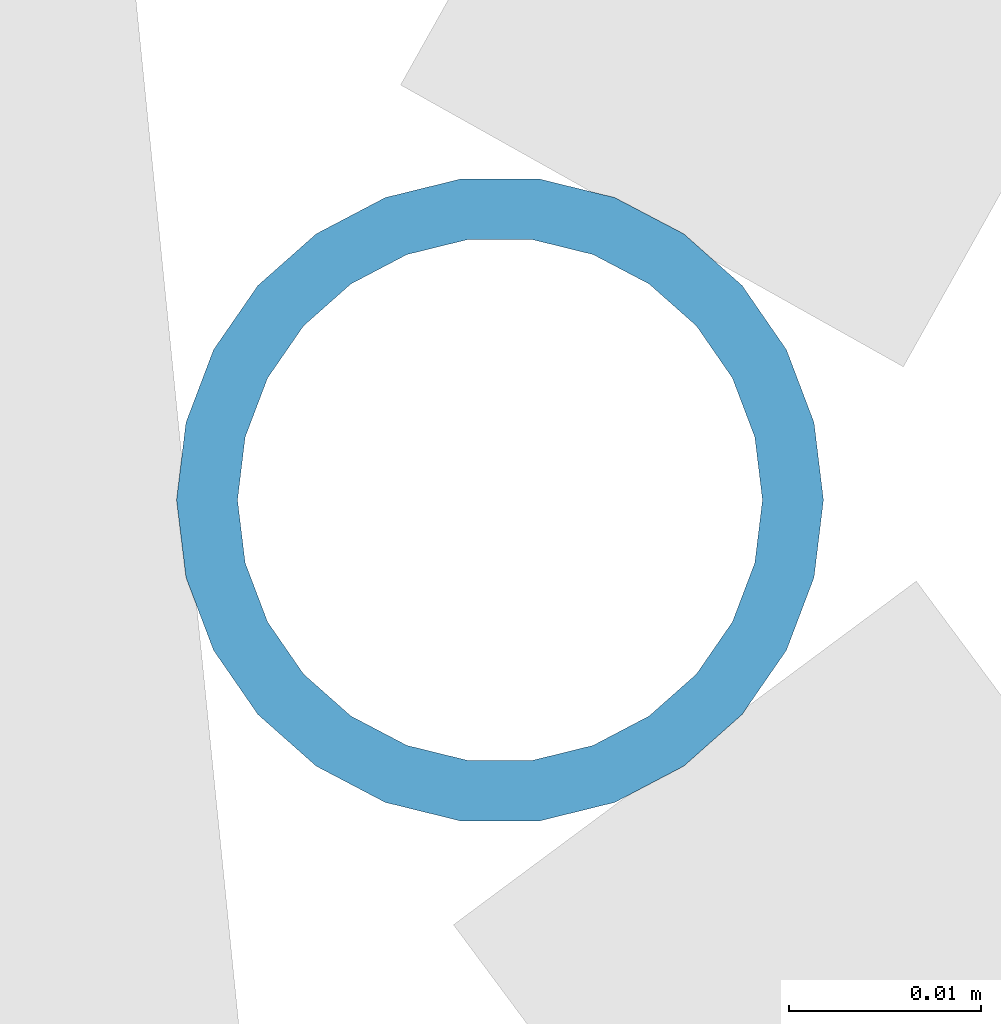
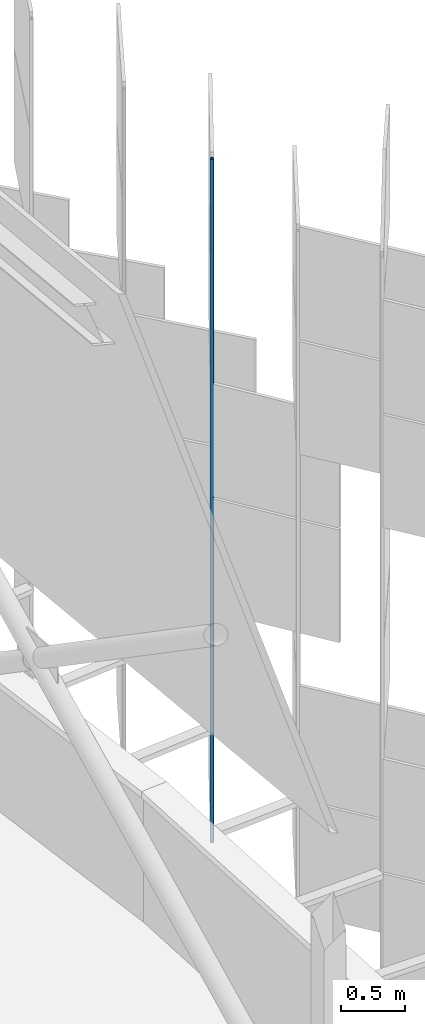
# One storey, part 290 of 483: 1 discrete accessory.
"""IFC4 building model written with IfcOpenShell, lengths in metres."""

from ifc_helpers import new_model, si_unit, direction, frame, origin, origin_2d, place, context, subcontext, project, spatial, hollow_circle, extrude, material, material_profile, profile_set, type_object, element, save


model = new_model("IFC4")

# Units and contexts
model_context = context("Model", 3, precision=1e-05, world=origin(), true_north=direction((0.0, 1.0)))
body_context = subcontext(model_context, "Body", "Model", "MODEL_VIEW")
ifc_project = project(units=[si_unit("LENGTHUNIT", "METRE"), si_unit("AREAUNIT", "SQUARE_METRE"), si_unit("VOLUMEUNIT", "CUBIC_METRE"), si_unit("PLANEANGLEUNIT", "RADIAN"), si_unit("MASSUNIT", "GRAM", prefix="KILO")], contexts=[model_context])

# Site, building, storey
site_placement = place(None, origin())
site = spatial("IfcSite", under=ifc_project, at=site_placement, CompositionType="ELEMENT")
building_placement = place(site_placement, origin())
building = spatial("IfcBuilding", under=site, at=building_placement, Name="Parallax Yard Mobility Hub", CompositionType="ELEMENT")
storey_placement = place(building_placement, frame((0.0, 0.0, 13.199951171875)))
storey = spatial("IfcBuildingStorey", under=building, at=storey_placement, Name="L04", CompositionType="ELEMENT", Elevation=13.199951171875)

# Discrete accessory
ifc_material = material(Name="Steel ASTM A500 Gr C, hot-dip galvanised", Category="steel")
ifc_material_profile = material_profile(ifc_material, hollow_circle(Radius=0.016845703125, WallThickness=0.003173828125, at=origin_2d()), Name="CHS 33.7x3.2")
ifc_profile_set = profile_set([ifc_material_profile], Name="Steel ASTM A500 Gr C, hot-dip galvanised")
discrete_accessory_type = type_object("IfcDiscreteAccessoryType", Name="Hinge post CHS 33.7x3.2", PredefinedType="BRACKET", material=ifc_profile_set)
discrete_accessory_placement = place(storey_placement, frame((225.60595703125, 94.785888671875, 0.0), z_axis=(0.0, 0.0, 1.0), x_axis=(1.0, 0.0, 0.0)))
element("IfcDiscreteAccessory", 1, at=discrete_accessory_placement, inside=storey, type_object=discrete_accessory_type, Name="Hinge post bay 41.5 level L04", PredefinedType="BRACKET", context=body_context, shape_type="SweptSolid", body=[
    extrude(hollow_circle(Radius=0.016845703125, WallThickness=0.003173828125, at=origin_2d()), origin(), (0.0, 0.0, 1.0), 6.550048828125),
])

save(model, "model.ifc")
